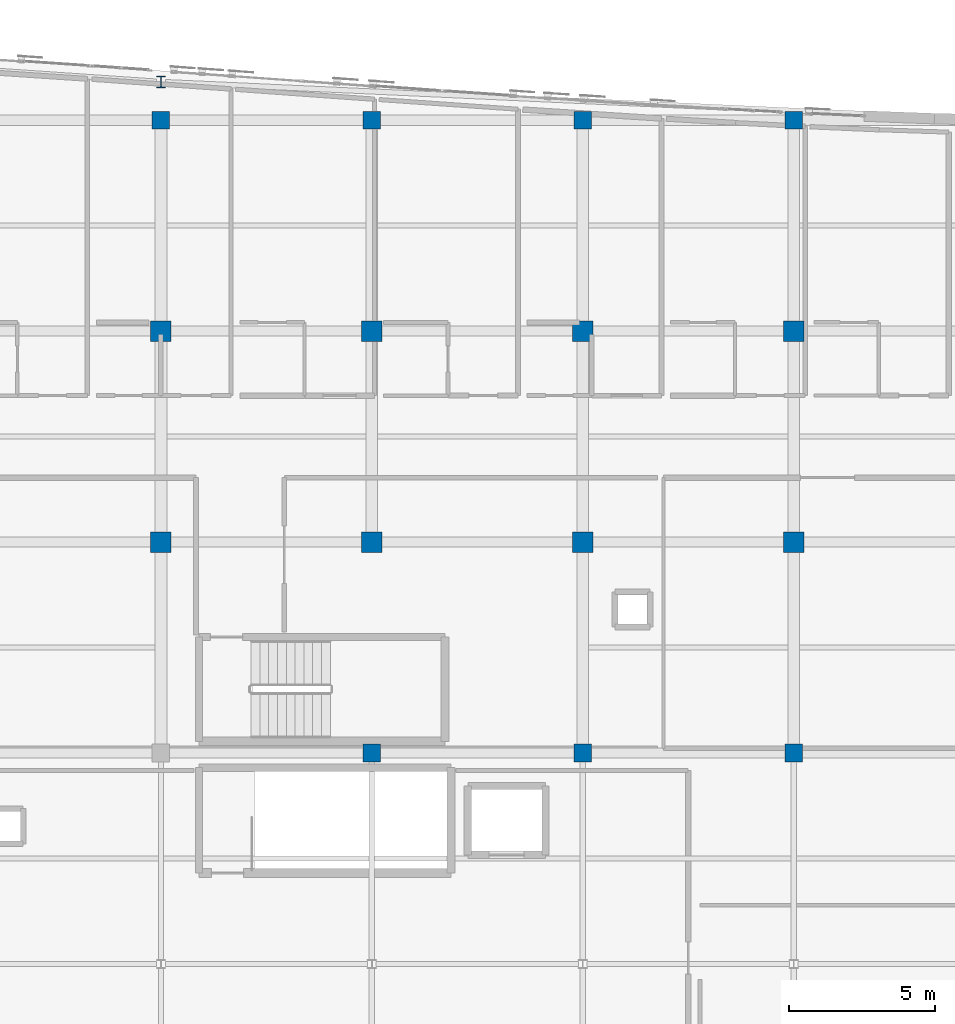
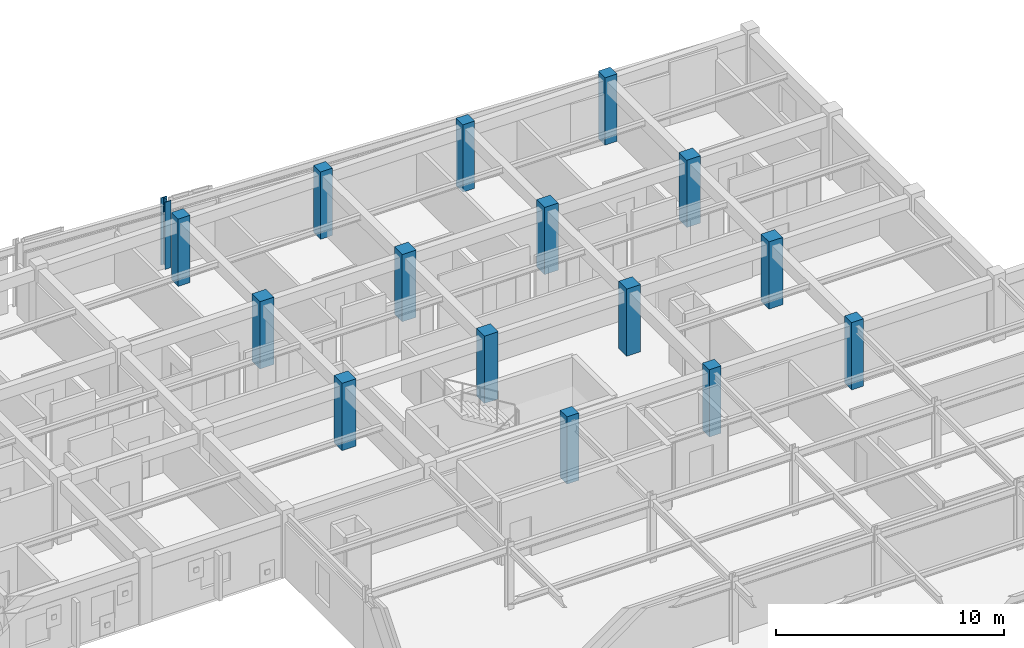
# One storey, part 5 of 73: 16 columns.
"""IFC4 building model written with IfcOpenShell, lengths in metres."""

import ifcopenshell
import ifcopenshell.guid

model = None  # the IFC model being written
_history = None  # IfcOwnerHistory: only IFC2X3 demands one
_inside = {}  # id of a spatial element -> (the spatial element, [elements in it])
_under = {}  # id of a project, library or spatial element -> (it, [spatial elements below it])
_declared = {}  # id of a project -> (the project, [libraries it declares])
_typed = {}  # id of a type object -> (the type object, [elements of that type])
_made_of = {}  # id of a material, layer set ... -> (it, [elements and type objects made of it])


def new_model(schema):
    """Start an empty IFC model of exactly this schema.

    Asked for "IFC4X3", IfcOpenShell would pick the latest addendum, in which some entities
    have other attributes; the version numbers below select the first issue.
    IFC2X3 requires an IfcOwnerHistory on every rooted entity: one is made here for all.
    """
    global model, _history
    if schema == "IFC4X3":
        model = ifcopenshell.file(schema_version=(4, 3, 0, 0))
    else:
        model = ifcopenshell.file(schema=schema)
    _inside.clear()
    _under.clear()
    _declared.clear()
    _typed.clear()
    _made_of.clear()
    _history = None
    if model.schema == "IFC2X3":
        org = make("IfcOrganization", Name="unknown")
        user = make(
            "IfcPersonAndOrganization",
            ThePerson=make("IfcPerson", FamilyName="unknown"),
            TheOrganization=org,
        )
        app = make(
            "IfcApplication",
            ApplicationDeveloper=org,
            Version="unknown",
            ApplicationFullName="unknown",
            ApplicationIdentifier="unknown",
        )
        _history = make(
            "IfcOwnerHistory",
            OwningUser=user,
            OwningApplication=app,
            ChangeAction="ADDED",
            CreationDate=0,
        )
    return model


def make(cls, **values):
    """One entity of the class cls with the attributes given. An attribute that is None is left unset."""
    return model.create_entity(
        cls, **{name: value for name, value in values.items() if value is not None}
    )


def rooted(cls, **values):
    """An entity with a GlobalId (a new one), such as an element, a storey or a relation."""
    return make(cls, GlobalId=ifcopenshell.guid.new(), OwnerHistory=_history, **values)


def si_unit(unit_type, name, prefix=None):
    """IfcSIUnit, for example si_unit("LENGTHUNIT", "METRE", prefix="MILLI")."""
    return make("IfcSIUnit", UnitType=unit_type, Prefix=prefix, Name=name)


def assignment(units):
    """IfcUnitAssignment: the units of a project."""
    return None if units is None else make("IfcUnitAssignment", Units=units)


def point(xyz):
    """IfcCartesianPoint."""
    return None if xyz is None else make("IfcCartesianPoint", Coordinates=xyz)


def direction(xyz):
    """IfcDirection."""
    return None if xyz is None else make("IfcDirection", DirectionRatios=xyz)


def frame(location, z_axis=None, x_axis=None):
    """IfcAxis2Placement3D, a coordinate frame: its origin and axes. An axis left out is left unset."""
    return make(
        "IfcAxis2Placement3D",
        Location=point(location),
        Axis=direction(z_axis),
        RefDirection=direction(x_axis),
    )


def frame_2d(location, x_axis=None):
    """IfcAxis2Placement2D, a coordinate frame in the plane: its origin and x axis."""
    return make(
        "IfcAxis2Placement2D", Location=point(location), RefDirection=direction(x_axis)
    )


def origin():
    """The frame at (0, 0, 0) with its axes left unset."""
    return frame((0.0, 0.0, 0.0))


def origin_2d():
    """The frame at (0, 0) in the plane with its x axis left unset."""
    return frame_2d((0.0, 0.0))


def place(relative_to, where):
    """IfcLocalPlacement: puts the frame where relative to a parent placement (None: the world)."""
    return make(
        "IfcLocalPlacement", PlacementRelTo=relative_to, RelativePlacement=where
    )


def context(
    kind, dimensions, precision=None, world=None, true_north=None, identifier=None
):
    """IfcGeometricRepresentationContext, for example the 3D "Model" context."""
    return make(
        "IfcGeometricRepresentationContext",
        ContextIdentifier=identifier,
        ContextType=kind,
        CoordinateSpaceDimension=dimensions,
        Precision=precision,
        WorldCoordinateSystem=world,
        TrueNorth=true_north,
    )


def subcontext(parent, identifier, kind, view, scale=None):
    """IfcGeometricRepresentationSubContext, for example "Body" below "Model"."""
    return make(
        "IfcGeometricRepresentationSubContext",
        ContextIdentifier=identifier,
        ContextType=kind,
        ParentContext=parent,
        TargetScale=scale,
        TargetView=view,
    )


def project(units=None, contexts=None):
    """IfcProject with its units and contexts."""
    return rooted(
        "IfcProject",
        Name="project",
        RepresentationContexts=contexts,
        UnitsInContext=assignment(units),
    )


def spatial(cls, under=None, at=None, **own):
    """A site, building, storey or space (cls), placed at a placement, below another one or the project."""
    s = rooted(cls, ObjectPlacement=at, **own)
    if under is not None:
        _under.setdefault(under.id(), (under, []))[1].append(s)
    return s


def profile(cls, at=None, kind="AREA", **sizes):
    """A parametric profile (cls). Its sizes go by their IFC names, for example OverallWidth=200.0."""
    return make(cls, ProfileType=kind, Position=at, **sizes)


def rectangle(**sizes):
    """IfcRectangleProfileDef."""
    return profile("IfcRectangleProfileDef", **sizes)


def i_section(**sizes):
    """IfcIShapeProfileDef."""
    return profile("IfcIShapeProfileDef", **sizes)


def extrude(swept, where, along, depth):
    """IfcExtrudedAreaSolid: the profile swept, set in the frame where, extruded along a direction by depth."""
    return make(
        "IfcExtrudedAreaSolid",
        SweptArea=swept,
        Position=where,
        ExtrudedDirection=direction(along),
        Depth=depth,
    )


def shape(context_of_items, identifier, shape_type, items):
    """IfcShapeRepresentation: the items that make up one representation, for example the "Body"."""
    return make(
        "IfcShapeRepresentation",
        ContextOfItems=context_of_items,
        RepresentationIdentifier=identifier,
        RepresentationType=shape_type,
        Items=items,
    )


def material(Name=None, Category=None):
    """IfcMaterial."""
    return make("IfcMaterial", Name=Name, Category=Category)


def material_profile(
    of_material, cross_section, Name=None, Category=None, Priority=None
):
    """IfcMaterialProfile: a cross section and its material."""
    return make(
        "IfcMaterialProfile",
        Name=Name,
        Material=of_material,
        Profile=cross_section,
        Priority=Priority,
        Category=Category,
    )


def profile_set(profiles, Name=None, composite=None):
    """IfcMaterialProfileSet."""
    return make(
        "IfcMaterialProfileSet",
        Name=Name,
        MaterialProfiles=profiles,
        CompositeProfile=composite,
    )


def made_of(thing, what):
    """Note that an element or type object is made of a material, layer set ...; save() writes the relation."""
    if what is not None:
        _made_of.setdefault(what.id(), (what, []))[1].append(thing)
    return thing


def type_object(cls, material=None, **own):
    """A type object (cls), such as IfcWallType, which elements share."""
    return made_of(rooted(cls, **own), material)


def element(
    cls,
    number,
    at=None,
    inside=None,
    cuts=None,
    type_object=None,
    material=None,
    context=None,
    identifier="Body",
    shape_type=None,
    held_by="IfcProductDefinitionShape",
    body=None,
    shapes=None,
    **own,
):
    """One element of the class cls, such as IfcWall. Its Tag is "e" and its number.

    at: its placement. inside: the storey or other place that contains it. cuts: it is an
    opening in that element (IfcRelVoidsElement). A single representation is given by context,
    identifier, shape_type and body (its items); several are given by shapes. held_by: the class
    of the entity that holds the representations. save() writes the other relations.
    """
    e = rooted(cls, Tag="e%d" % number, ObjectPlacement=at, **own)
    if body is not None:
        shapes = [shape(context, identifier, shape_type, body)]
    if shapes is not None:
        e.Representation = make(held_by, Representations=shapes)
    if inside is not None:
        _inside.setdefault(inside.id(), (inside, []))[1].append(e)
    if cuts is not None:
        rooted(
            "IfcRelVoidsElement", RelatingBuildingElement=cuts, RelatedOpeningElement=e
        )
    if type_object is not None:
        _typed.setdefault(type_object.id(), (type_object, []))[1].append(e)
    return made_of(e, material)


def aggregate(whole, parts):
    """IfcRelAggregates: a whole, such as a stair, and the parts it consists of."""
    return rooted("IfcRelAggregates", RelatingObject=whole, RelatedObjects=parts)


def save(model, path):
    """Write the relations noted so far, then the file.

    IfcRelAggregates (storeys below a building ...), IfcRelContainedInSpatialStructure (elements
    in a storey), IfcRelDefinesByType, IfcRelAssociatesMaterial and IfcRelDeclares: one each for
    every whole, place, type object, material and project.
    """
    for whole, parts in _under.values():
        aggregate(whole, parts)
    for where, things in _inside.values():
        rooted(
            "IfcRelContainedInSpatialStructure",
            RelatedElements=things,
            RelatingStructure=where,
        )
    for kind, things in _typed.values():
        rooted("IfcRelDefinesByType", RelatedObjects=things, RelatingType=kind)
    for what, things in _made_of.values():
        rooted("IfcRelAssociatesMaterial", RelatedObjects=things, RelatingMaterial=what)
    for by, libraries in _declared.values():
        rooted("IfcRelDeclares", RelatingContext=by, RelatedDefinitions=libraries)
    model.write(path)


model = new_model("IFC4")

# Units and contexts
model_context = context("Model", 3, precision=1e-05, world=origin(), true_north=direction((0.0, 1.0)))
body_context = subcontext(model_context, "Body", "Model", "MODEL_VIEW")
ifc_project = project(units=[si_unit("LENGTHUNIT", "METRE"), si_unit("AREAUNIT", "SQUARE_METRE"), si_unit("VOLUMEUNIT", "CUBIC_METRE"), si_unit("PLANEANGLEUNIT", "RADIAN"), si_unit("MASSUNIT", "GRAM", prefix="KILO")], contexts=[model_context])

# Site, building, storey
site_placement = place(None, origin())
site = spatial("IfcSite", under=ifc_project, at=site_placement, CompositionType="ELEMENT")
building_placement = place(site_placement, origin())
building = spatial("IfcBuilding", under=site, at=building_placement, Name="Carrowvane Square Congress Hotel", CompositionType="ELEMENT")
storey_placement = place(building_placement, frame((0.0, 0.0, 19.199951171875)))
storey = spatial("IfcBuildingStorey", under=building, at=storey_placement, Name="L04", CompositionType="ELEMENT", Elevation=19.199951171875)

# Columns
ifc_material_1 = material(Name="Concrete C40/50", Category="concrete")
ifc_material_profile_1 = material_profile(ifc_material_1, rectangle(XDim=0.60009765625, YDim=0.60009765625, at=origin_2d()), Name="RC 600x600")
ifc_profile_set_1 = profile_set([ifc_material_profile_1], Name="Concrete C40/50")
column_type_1 = type_object("IfcColumnType", Name="COL-RC-600", PredefinedType="COLUMN", material=ifc_profile_set_1)
for number, where, z_axis, x_axis, name in (
    (1, (134.0, 113.39990234375, 0.0), (0.0, 0.0, 1.0), (1.0, 0.0, 0.0), "L04 column 18/R"),
    (2, (141.199951171875, 91.800048828125, 0.0), (0.0, 0.0, 1.0), (1.0, 0.0, 0.0), "L04 column 19/N"),
    (3, (141.199951171875, 113.39990234375, 0.0), (0.0, 0.0, 1.0), (1.0, 0.0, 0.0), "L04 column 19/R"),
    (4, (148.39990234375, 91.800048828125, 0.0), (0.0, 0.0, 1.0), (1.0, 0.0, 0.0), "L04 column 20/N"),
    (5, (148.39990234375, 113.39990234375, 0.0), (0.0, 0.0, 1.0), (1.0, 0.0, 0.0), "L04 column 20/R"),
    (6, (155.60009765625, 91.800048828125, 0.0), (0.0, 0.0, 1.0), (1.0, 0.0, 0.0), "L04 column 21/N"),
    (7, (155.60009765625, 113.39990234375, 0.0), (0.0, 0.0, 1.0), (1.0, 0.0, 0.0), "L04 column 21/R"),
):
    element("IfcColumn", number, at=place(storey_placement, frame(where, z_axis=z_axis, x_axis=x_axis)), inside=storey, type_object=column_type_1, Name=name, PredefinedType="COLUMN", context=body_context, shape_type="SweptSolid", body=[
        extrude(rectangle(XDim=0.60009765625, YDim=0.60009765625, at=origin_2d()), origin(), (0.0, 0.0, 1.0), 3.60009765625),
    ])
ifc_material_2 = material(Name="Concrete C40/50", Category="concrete")
ifc_material_profile_2 = material_profile(ifc_material_2, rectangle(XDim=0.699951171875, YDim=0.699951171875, at=origin_2d()), Name="RC 700x700")
ifc_profile_set_2 = profile_set([ifc_material_profile_2], Name="Concrete C40/50")
column_type_2 = type_object("IfcColumnType", Name="COL-RC-700", PredefinedType="COLUMN", material=ifc_profile_set_2)
for number, where, z_axis, x_axis, name in (
    (8, (134.0, 99.0, 0.0), (0.0, 0.0, 1.0), (1.0, 0.0, 0.0), "L04 column 18/P"),
    (9, (134.0, 106.199951171875, 0.0), (0.0, 0.0, 1.0), (1.0, 0.0, 0.0), "L04 column 18/Q"),
    (10, (141.199951171875, 99.0, 0.0), (0.0, 0.0, 1.0), (1.0, 0.0, 0.0), "L04 column 19/P"),
    (11, (141.199951171875, 106.199951171875, 0.0), (0.0, 0.0, 1.0), (1.0, 0.0, 0.0), "L04 column 19/Q"),
    (12, (148.39990234375, 99.0, 0.0), (0.0, 0.0, 1.0), (1.0, 0.0, 0.0), "L04 column 20/P"),
    (13, (148.39990234375, 106.199951171875, 0.0), (0.0, 0.0, 1.0), (1.0, 0.0, 0.0), "L04 column 20/Q"),
    (14, (155.60009765625, 99.0, 0.0), (0.0, 0.0, 1.0), (1.0, 0.0, 0.0), "L04 column 21/P"),
    (15, (155.60009765625, 106.199951171875, 0.0), (0.0, 0.0, 1.0), (1.0, 0.0, 0.0), "L04 column 21/Q"),
):
    element("IfcColumn", number, at=place(storey_placement, frame(where, z_axis=z_axis, x_axis=x_axis)), inside=storey, type_object=column_type_2, Name=name, PredefinedType="COLUMN", context=body_context, shape_type="SweptSolid", body=[
        extrude(rectangle(XDim=0.699951171875, YDim=0.699951171875, at=origin_2d()), origin(), (0.0, 0.0, 1.0), 3.60009765625),
    ])
ifc_material_3 = material(Name="Steel S355", Category="steel")
ifc_material_profile_3 = material_profile(ifc_material_3, i_section(OverallWidth=0.300048828125, OverallDepth=0.39990234375, WebThickness=0.013427734375, FlangeThickness=0.02392578125, FilletRadius=0.027099609375, at=origin_2d()), Name="HEB 400")
ifc_profile_set_3 = profile_set([ifc_material_profile_3], Name="Steel S355")
column_type_3 = type_object("IfcColumnType", Name="COL-ST-HEB400", PredefinedType="COLUMN", material=ifc_profile_set_3)
column_placement = place(storey_placement, frame((134.0, 114.7060546875, 0.0), z_axis=(0.0, 0.0, 1.0), x_axis=(1.0, 0.0, 0.0)))
element("IfcColumn", 16, at=column_placement, inside=storey, type_object=column_type_3, Name="L04 column 18/ARC", PredefinedType="COLUMN", context=body_context, shape_type="SweptSolid", body=[
    extrude(i_section(OverallWidth=0.300048828125, OverallDepth=0.39990234375, WebThickness=0.013427734375, FlangeThickness=0.02392578125, FilletRadius=0.027099609375, at=origin_2d()), origin(), (0.0, 0.0, 1.0), 3.60009765625),
])

save(model, "model.ifc")
